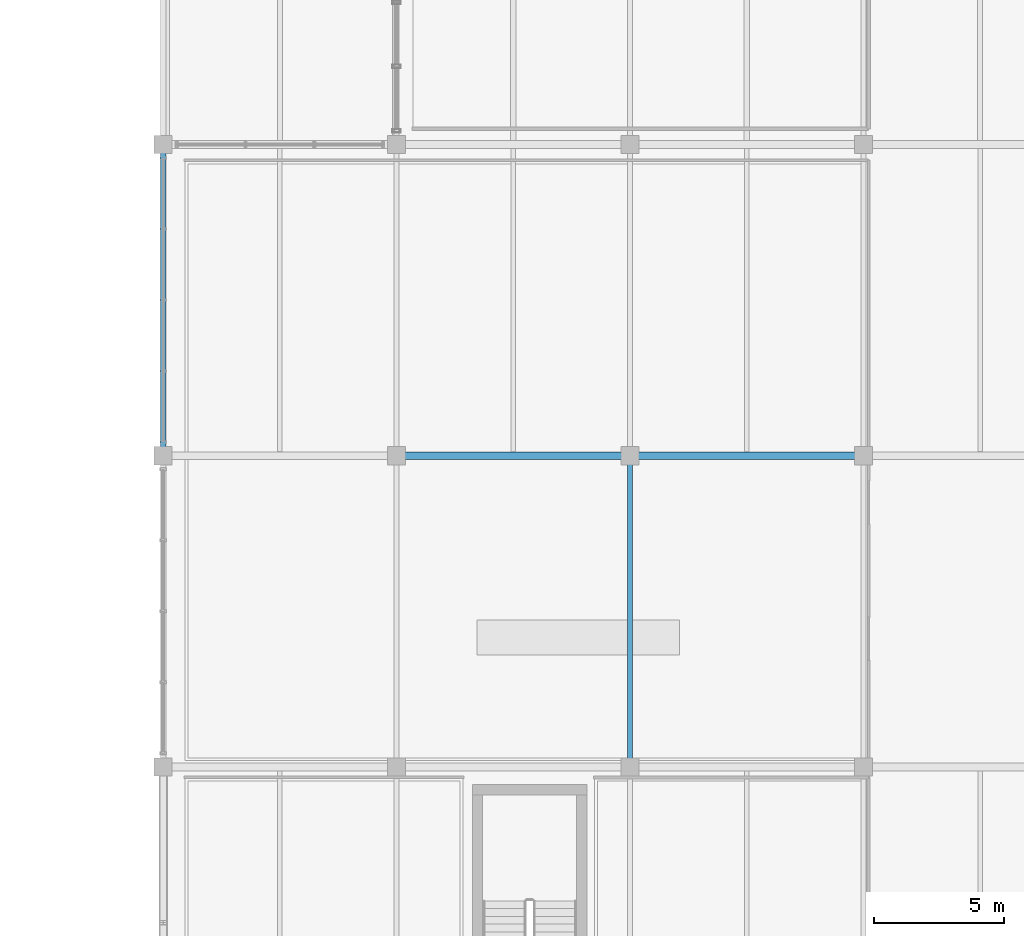
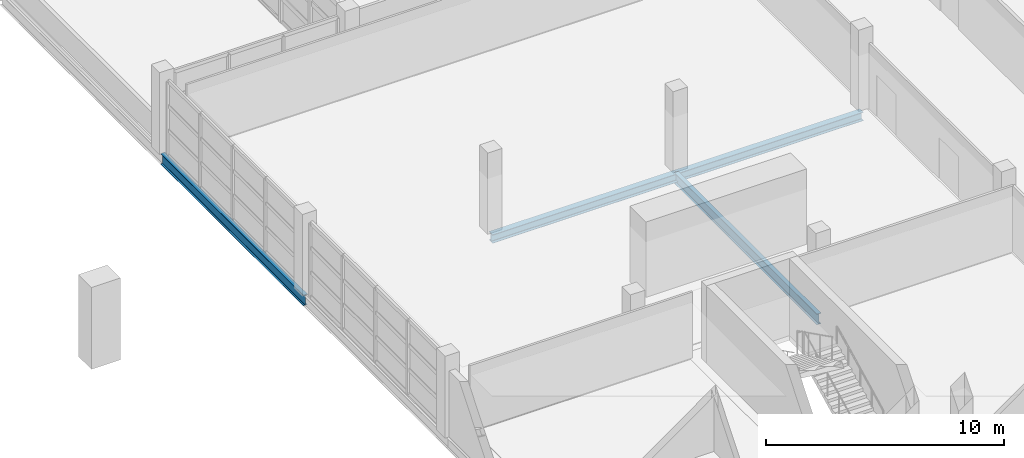
# One storey, part 69 of 136: 4 beams.
"""IFC4 building model written with IfcOpenShell, lengths in metres."""

from ifc_helpers import new_model, si_unit, direction, frame, origin, origin_2d, place, context, subcontext, project, spatial, i_section, extrude, material, material_profile, profile_set, type_object, element, save


model = new_model("IFC4")

# Units and contexts
model_context = context("Model", 3, precision=1e-05, world=origin(), true_north=direction((0.0, 1.0)))
body_context = subcontext(model_context, "Body", "Model", "MODEL_VIEW")
ifc_project = project(units=[si_unit("LENGTHUNIT", "METRE"), si_unit("AREAUNIT", "SQUARE_METRE"), si_unit("VOLUMEUNIT", "CUBIC_METRE"), si_unit("PLANEANGLEUNIT", "RADIAN"), si_unit("MASSUNIT", "GRAM", prefix="KILO")], contexts=[model_context])

# Site, building, storey
site_placement = place(None, origin())
site = spatial("IfcSite", under=ifc_project, at=site_placement, CompositionType="ELEMENT")
building_placement = place(site_placement, origin())
building = spatial("IfcBuilding", under=site, at=building_placement, Name="Chuanluo Vaults Station", CompositionType="ELEMENT")
storey_placement = place(building_placement, frame((0.0, 0.0, 6.60009765625)))
storey = spatial("IfcBuildingStorey", under=building, at=storey_placement, Name="L01", CompositionType="ELEMENT", Elevation=6.60009765625)

# Beams
ifc_material_1 = material(Name="Steel Q355C", Category="steel")
ifc_material_profile_1 = material_profile(ifc_material_1, i_section(OverallWidth=0.300048828125, OverallDepth=0.43994140625, WebThickness=0.010986328125, FlangeThickness=0.01806640625, FilletRadius=0.02001953125, at=origin_2d()))
ifc_profile_set_1 = profile_set([ifc_material_profile_1], Name="Steel Q355C")
beam_type_1 = type_object("IfcBeamType", Name="BM-GRD-450", PredefinedType="USERDEFINED", material=ifc_profile_set_1)
for number, where, z_axis, x_axis, name in (
    (1, (145.0, 42.0, -0.460205078125), (1.0, 0.0, 0.0), (0.0, 1.0, 0.0), "Floor girder BM:GX:L01:0318"),
    (2, (154.0, 42.0, -0.460205078125), (1.0, 0.0, 0.0), (0.0, 1.0, 0.0), "Floor girder BM:GX:L01:0319"),
):
    element("IfcBeam", number, at=place(storey_placement, frame(where, z_axis=z_axis, x_axis=x_axis)), inside=storey, type_object=beam_type_1, Name=name, ObjectType="GIRDER", PredefinedType="USERDEFINED", context=body_context, shape_type="SweptSolid", body=[
        extrude(i_section(OverallWidth=0.300048828125, OverallDepth=0.43994140625, WebThickness=0.010986328125, FlangeThickness=0.01806640625, FilletRadius=0.02001953125, at=origin_2d()), origin(), (0.0, 0.0, 1.0), 9.0),
    ])
ifc_material_2 = material(Name="Steel Q355C", Category="steel")
ifc_material_profile_2 = material_profile(ifc_material_2, i_section(OverallWidth=0.199951171875, OverallDepth=0.550048828125, WebThickness=0.010009765625, FlangeThickness=0.01611328125, FilletRadius=0.01806640625, at=origin_2d()))
ifc_profile_set_2 = profile_set([ifc_material_profile_2], Name="Steel Q355C")
beam_type_2 = type_object("IfcBeamType", Name="BM-GRD-550", PredefinedType="USERDEFINED", material=ifc_profile_set_2)
for number, where, z_axis, x_axis, name in (
    (3, (136.0, 42.0, -0.51513671875), (0.0, 1.0, 0.0), (-1.0, 0.0, 0.0), "Floor girder BM:GY:L01:0458"),
    (4, (154.0, 30.0, -0.51513671875), (0.0, 1.0, 0.0), (-1.0, 0.0, 0.0), "Floor girder BM:GY:L01:0480"),
):
    element("IfcBeam", number, at=place(storey_placement, frame(where, z_axis=z_axis, x_axis=x_axis)), inside=storey, type_object=beam_type_2, Name=name, ObjectType="GIRDER", PredefinedType="USERDEFINED", context=body_context, shape_type="SweptSolid", body=[
        extrude(i_section(OverallWidth=0.199951171875, OverallDepth=0.550048828125, WebThickness=0.010009765625, FlangeThickness=0.01611328125, FilletRadius=0.01806640625, at=origin_2d()), origin(), (0.0, 0.0, 1.0), 12.0),
    ])

save(model, "model.ifc")
